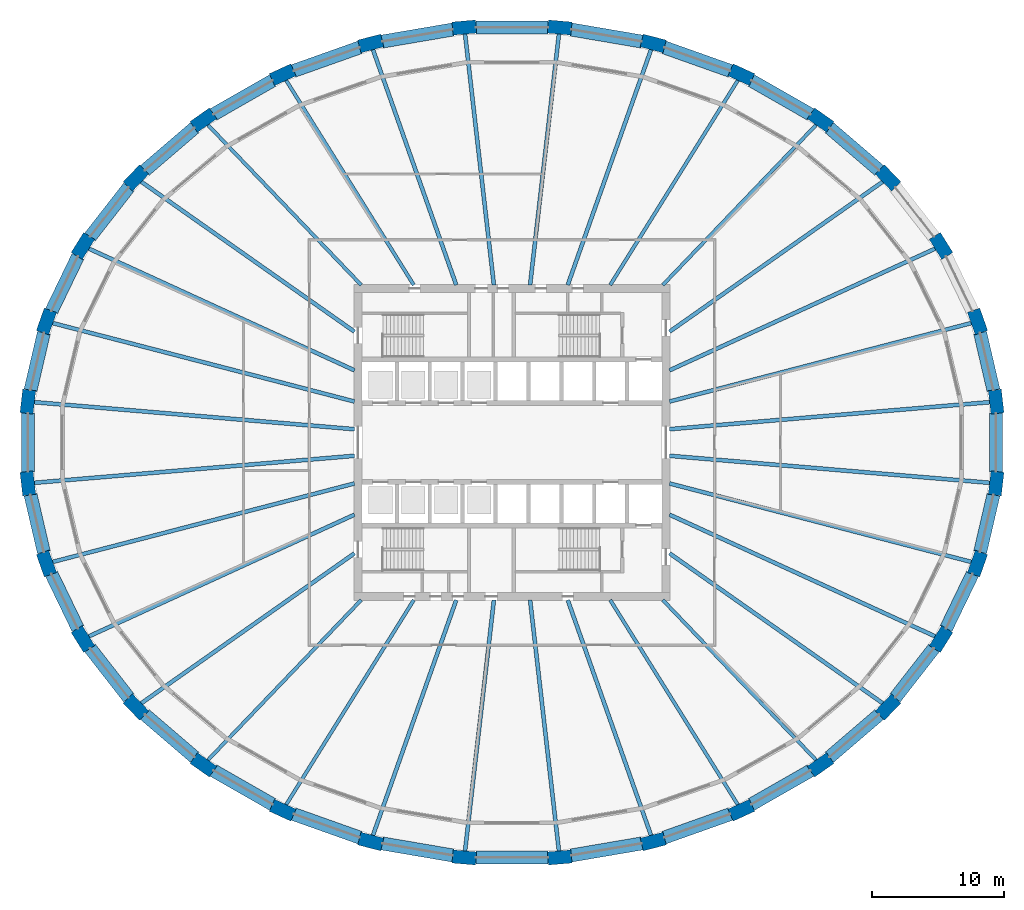
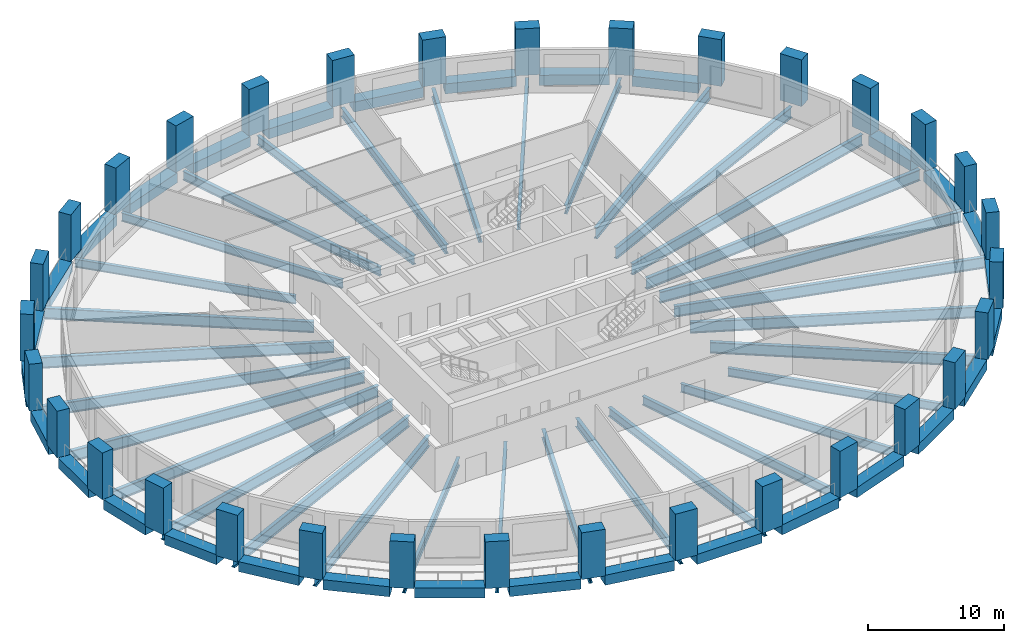
# One storey, part 1 of 10: 62 beams, 32 columns.
"""IFC4 building model written with IfcOpenShell, lengths in metres."""

from ifc_helpers import new_model, si_unit, direction, frame, origin, origin_2d, place, context, subcontext, project, spatial, rectangle, i_section, extrude, material, material_profile, profile_set, type_object, element, save


model = new_model("IFC4")

# Units and contexts
model_context = context("Model", 3, precision=1e-05, world=origin(), true_north=direction((0.0, 1.0)))
body_context = subcontext(model_context, "Body", "Model", "MODEL_VIEW")
ifc_project = project(units=[si_unit("LENGTHUNIT", "METRE"), si_unit("AREAUNIT", "SQUARE_METRE"), si_unit("VOLUMEUNIT", "CUBIC_METRE"), si_unit("PLANEANGLEUNIT", "RADIAN"), si_unit("MASSUNIT", "GRAM", prefix="KILO")], contexts=[model_context])

# Site, building, storey
site_placement = place(None, origin())
site = spatial("IfcSite", under=ifc_project, at=site_placement, CompositionType="ELEMENT")
building_placement = place(site_placement, origin())
building = spatial("IfcBuilding", under=site, at=building_placement, Name="Halqa Exchange Tower", CompositionType="ELEMENT")
storey_placement = place(building_placement, frame((0.0, 0.0, 65.5)))
storey = spatial("IfcBuildingStorey", under=building, at=storey_placement, Name="L14", CompositionType="ELEMENT", Elevation=65.5)

# Columns
ifc_material_1 = material(Name="Concrete C80/95", Category="concrete")
ifc_material_profile_1 = material_profile(ifc_material_1, rectangle(XDim=1.800048828125, YDim=1.0, at=origin_2d()), Name="1800 x 1000")
ifc_profile_set_1 = profile_set([ifc_material_profile_1], Name="Concrete C80/95")
column_type = type_object("IfcColumnType", Name="RC ring column 1800 x 1000 C80/95", PredefinedType="COLUMN", material=ifc_profile_set_1)
for number, where, z_axis, x_axis, name in (
    (1, (36.795654296875, 3.106201171875, 0.0), (0.0, 0.0, 1.0), (-0.114160389816, 0.993462332148, 0.0), "Ring column 1"),
    (2, (35.381591796875, 9.19970703125, 0.0), (0.0, 0.0, 1.0), (-0.33362916957, 0.942704395456, 0.0), "Ring column 2"),
    (3, (32.60791015625, 14.939453125, 0.0), (0.0, 0.0, 1.0), (-0.529139015285, 0.848535151012, 0.0), "Ring column 3"),
    (4, (28.5810546875, 20.10498046875, 0.0), (0.0, 0.0, 1.0), (-0.691577351953, 0.722302406382, 0.0), "Ring column 4"),
    (5, (23.455810546875, 24.498046875, 0.0), (0.0, 0.0, 1.0), (-0.817908788019, 0.57534790734, 0.0), "Ring column 5"),
    (6, (17.42919921875, 27.94970703125, 0.0), (0.0, 0.0, 1.0), (-0.909126368869, 0.416520402174, 0.0), "Ring column 6"),
    (7, (10.73291015625, 30.3271484375, 0.0), (0.0, 0.0, 1.0), (-0.967819942774, 0.251643713153, 0.0), "Ring column 7"),
    (8, (3.6240234375, 31.5390625, 0.0), (0.0, 0.0, 1.0), (-0.996455665803, 0.084119593962, 0.0), "Ring column 8"),
    (9, (-3.6240234375, 31.5390625, 0.0), (0.0, 0.0, 1.0), (-0.996455665803, -0.084119593962, 0.0), "Ring column 9"),
    (10, (-10.73291015625, 30.3271484375, 0.0), (0.0, 0.0, 1.0), (-0.967819942774, -0.251643713153, 0.0), "Ring column 10"),
    (11, (-17.42919921875, 27.94970703125, 0.0), (0.0, 0.0, 1.0), (-0.909126368869, -0.416520402174, 0.0), "Ring column 11"),
    (12, (-23.455810546875, 24.498046875, 0.0), (0.0, 0.0, 1.0), (-0.817908788019, -0.57534790734, 0.0), "Ring column 12"),
    (13, (-28.5810546875, 20.10498046875, 0.0), (0.0, 0.0, 1.0), (-0.691577351953, -0.722302406382, 0.0), "Ring column 13"),
    (14, (-32.60791015625, 14.939453125, 0.0), (0.0, 0.0, 1.0), (-0.529139015285, -0.848535151012, 0.0), "Ring column 14"),
    (15, (-35.381591796875, 9.19970703125, 0.0), (0.0, 0.0, 1.0), (-0.33362916957, -0.942704395456, 0.0), "Ring column 15"),
    (16, (-36.795654296875, 3.106201171875, 0.0), (0.0, 0.0, 1.0), (-0.114160389816, -0.993462332148, 0.0), "Ring column 16"),
    (17, (-36.795654296875, -3.106201171875, 0.0), (0.0, 0.0, 1.0), (0.114160389816, -0.993462332148, 0.0), "Ring column 17"),
    (18, (-35.381591796875, -9.19970703125, 0.0), (0.0, 0.0, 1.0), (0.33362916957, -0.942704395456, 0.0), "Ring column 18"),
    (19, (-32.60791015625, -14.939453125, 0.0), (0.0, 0.0, 1.0), (0.529139015285, -0.848535151012, 0.0), "Ring column 19"),
    (20, (-28.5810546875, -20.10498046875, 0.0), (0.0, 0.0, 1.0), (0.691577351953, -0.722302406382, 0.0), "Ring column 20"),
    (21, (-23.455810546875, -24.498046875, 0.0), (0.0, 0.0, 1.0), (0.817908788019, -0.57534790734, 0.0), "Ring column 21"),
    (22, (-17.42919921875, -27.94970703125, 0.0), (0.0, 0.0, 1.0), (0.909126368869, -0.416520402174, 0.0), "Ring column 22"),
    (23, (-10.73291015625, -30.3271484375, 0.0), (0.0, 0.0, 1.0), (0.967819942774, -0.251643713153, 0.0), "Ring column 23"),
    (24, (-3.6240234375, -31.5390625, 0.0), (0.0, 0.0, 1.0), (0.996455665803, -0.084119593962, 0.0), "Ring column 24"),
    (25, (3.6240234375, -31.5390625, 0.0), (0.0, 0.0, 1.0), (0.996455665803, 0.084119593962, 0.0), "Ring column 25"),
    (26, (10.73291015625, -30.3271484375, 0.0), (0.0, 0.0, 1.0), (0.967819942774, 0.251643713153, 0.0), "Ring column 26"),
    (27, (17.42919921875, -27.94970703125, 0.0), (0.0, 0.0, 1.0), (0.909126368869, 0.416520402174, 0.0), "Ring column 27"),
    (28, (23.455810546875, -24.498046875, 0.0), (0.0, 0.0, 1.0), (0.817908788019, 0.57534790734, 0.0), "Ring column 28"),
    (29, (28.5810546875, -20.10498046875, 0.0), (0.0, 0.0, 1.0), (0.691577351953, 0.722302406382, 0.0), "Ring column 29"),
    (30, (32.60791015625, -14.939453125, 0.0), (0.0, 0.0, 1.0), (0.529139015285, 0.848535151012, 0.0), "Ring column 30"),
    (31, (35.381591796875, -9.19970703125, 0.0), (0.0, 0.0, 1.0), (0.33362916957, 0.942704395456, 0.0), "Ring column 31"),
    (32, (36.795654296875, -3.106201171875, 0.0), (0.0, 0.0, 1.0), (0.114160389816, 0.993462332148, 0.0), "Ring column 32"),
):
    element("IfcColumn", number, at=place(storey_placement, frame(where, z_axis=z_axis, x_axis=x_axis)), inside=storey, type_object=column_type, Name=name, PredefinedType="COLUMN", context=body_context, shape_type="SweptSolid", body=[
        extrude(rectangle(XDim=1.800048828125, YDim=1.0, at=origin_2d()), origin(), (0.0, 0.0, 1.0), 4.199951171875),
    ])

# Beams
ifc_material_2 = material(Name="Steel S355", Category="steel")
ifc_material_profile_2 = material_profile(ifc_material_2, i_section(OverallWidth=0.300048828125, OverallDepth=0.989990234375, WebThickness=0.0166015625, FlangeThickness=0.031005859375, FilletRadius=0.030029296875, at=origin_2d()), Name="HEA 1000")
ifc_profile_set_2 = profile_set([ifc_material_profile_2], Name="Steel S355")
beam_type_1 = type_object("IfcBeamType", Name="Floor beam HEA 1000", PredefinedType="BEAM", material=ifc_profile_set_2)
beam_1_placement = place(storey_placement, frame((11.97119140625, 3.11279296875, -0.794921875), z_axis=(0.967821408246, 0.251638076889, 0.0), x_axis=(-0.251638076889, 0.967821408246, 0.0)))
element("IfcBeam", 33, at=beam_1_placement, inside=storey, type_object=beam_type_1, Name="Radial beam 2", PredefinedType="BEAM", context=body_context, shape_type="SweptSolid", body=[
    extrude(i_section(OverallWidth=0.300048828125, OverallDepth=0.989990234375, WebThickness=0.0166015625, FlangeThickness=0.031005859375, FilletRadius=0.030029296875, at=origin_2d()), origin(), (0.0, 0.0, 1.0), 23.814697265625),
])
beam_2_placement = place(storey_placement, frame((11.972412109375, 5.485107421875, -0.794921875), z_axis=(0.90912712456, 0.416518752747, 0.0), x_axis=(-0.416518752747, 0.90912712456, 0.0)))
element("IfcBeam", 34, at=beam_2_placement, inside=storey, type_object=beam_type_1, Name="Radial beam 3", PredefinedType="BEAM", context=body_context, shape_type="SweptSolid", body=[
    extrude(i_section(OverallWidth=0.300048828125, OverallDepth=0.989990234375, WebThickness=0.0166015625, FlangeThickness=0.031005859375, FilletRadius=0.030029296875, at=origin_2d()), origin(), (0.0, 0.0, 1.0), 22.322265625),
])
for number, where, z_axis, x_axis, name in (
    (35, (11.972412109375, 8.421875, -0.794921875), (0.817911887768, 0.575343500744, 0.0), (-0.575343500744, 0.817911887768, 0.0), "Radial beam 4"),
    (36, (-11.972412109375, 8.421875, -0.794921875), (-0.817911887768, 0.575343500744, 0.0), (-0.575343500744, -0.817911887768, 0.0), "Radial beam 13"),
):
    element("IfcBeam", number, at=place(storey_placement, frame(where, z_axis=z_axis, x_axis=x_axis)), inside=storey, type_object=beam_type_1, Name=name, PredefinedType="BEAM", context=body_context, shape_type="SweptSolid", body=[
        extrude(i_section(OverallWidth=0.300048828125, OverallDepth=0.989990234375, WebThickness=0.0166015625, FlangeThickness=0.031005859375, FilletRadius=0.030029296875, at=origin_2d()), origin(), (0.0, 0.0, 1.0), 19.930419921875),
    ])
beam_3_placement = place(storey_placement, frame((-11.972412109375, 5.485107421875, -0.794921875), z_axis=(-0.90912712456, 0.416518752747, 0.0), x_axis=(-0.416518752747, -0.90912712456, 0.0)))
element("IfcBeam", 37, at=beam_3_placement, inside=storey, type_object=beam_type_1, Name="Radial beam 14", PredefinedType="BEAM", context=body_context, shape_type="SweptSolid", body=[
    extrude(i_section(OverallWidth=0.300048828125, OverallDepth=0.989990234375, WebThickness=0.0166015625, FlangeThickness=0.031005859375, FilletRadius=0.030029296875, at=origin_2d()), origin(), (0.0, 0.0, 1.0), 22.322265625),
])
for number, where, z_axis, x_axis, name in (
    (38, (-11.97119140625, 3.11279296875, -0.794921875), (-0.967821408246, 0.251638076889, 0.0), (-0.251638076889, -0.967821408246, 0.0), "Radial beam 15"),
    (39, (-11.97119140625, -3.11279296875, -0.794921875), (-0.967821408246, -0.251638076889, 0.0), (0.251638076889, -0.967821408246, 0.0), "Radial beam 18"),
):
    element("IfcBeam", number, at=place(storey_placement, frame(where, z_axis=z_axis, x_axis=x_axis)), inside=storey, type_object=beam_type_1, Name=name, PredefinedType="BEAM", context=body_context, shape_type="SweptSolid", body=[
        extrude(i_section(OverallWidth=0.300048828125, OverallDepth=0.989990234375, WebThickness=0.0166015625, FlangeThickness=0.031005859375, FilletRadius=0.030029296875, at=origin_2d()), origin(), (0.0, 0.0, 1.0), 23.814697265625),
    ])
beam_4_placement = place(storey_placement, frame((-11.972412109375, -5.485107421875, -0.794921875), z_axis=(-0.90912712456, -0.416518752747, 0.0), x_axis=(0.416518752747, -0.90912712456, 0.0)))
element("IfcBeam", 40, at=beam_4_placement, inside=storey, type_object=beam_type_1, Name="Radial beam 19", PredefinedType="BEAM", context=body_context, shape_type="SweptSolid", body=[
    extrude(i_section(OverallWidth=0.300048828125, OverallDepth=0.989990234375, WebThickness=0.0166015625, FlangeThickness=0.031005859375, FilletRadius=0.030029296875, at=origin_2d()), origin(), (0.0, 0.0, 1.0), 22.322265625),
])
for number, where, z_axis, x_axis, name in (
    (41, (-11.972412109375, -8.421875, -0.794921875), (-0.817911887768, -0.575343500744, 0.0), (0.575343500744, -0.817911887768, 0.0), "Radial beam 20"),
    (42, (11.972412109375, -8.421875, -0.794921875), (0.817911887768, -0.575343500744, 0.0), (0.575343500744, 0.817911887768, 0.0), "Radial beam 29"),
):
    element("IfcBeam", number, at=place(storey_placement, frame(where, z_axis=z_axis, x_axis=x_axis)), inside=storey, type_object=beam_type_1, Name=name, PredefinedType="BEAM", context=body_context, shape_type="SweptSolid", body=[
        extrude(i_section(OverallWidth=0.300048828125, OverallDepth=0.989990234375, WebThickness=0.0166015625, FlangeThickness=0.031005859375, FilletRadius=0.030029296875, at=origin_2d()), origin(), (0.0, 0.0, 1.0), 19.930419921875),
    ])
beam_5_placement = place(storey_placement, frame((11.972412109375, -5.485107421875, -0.794921875), z_axis=(0.90912712456, -0.416518752747, 0.0), x_axis=(0.416518752747, 0.90912712456, 0.0)))
element("IfcBeam", 43, at=beam_5_placement, inside=storey, type_object=beam_type_1, Name="Radial beam 30", PredefinedType="BEAM", context=body_context, shape_type="SweptSolid", body=[
    extrude(i_section(OverallWidth=0.300048828125, OverallDepth=0.989990234375, WebThickness=0.0166015625, FlangeThickness=0.031005859375, FilletRadius=0.030029296875, at=origin_2d()), origin(), (0.0, 0.0, 1.0), 22.322265625),
])
beam_6_placement = place(storey_placement, frame((11.97119140625, -3.11279296875, -0.794921875), z_axis=(0.967821408246, -0.251638076889, 0.0), x_axis=(0.251638076889, 0.967821408246, 0.0)))
element("IfcBeam", 44, at=beam_6_placement, inside=storey, type_object=beam_type_1, Name="Radial beam 31", PredefinedType="BEAM", context=body_context, shape_type="SweptSolid", body=[
    extrude(i_section(OverallWidth=0.300048828125, OverallDepth=0.989990234375, WebThickness=0.0166015625, FlangeThickness=0.031005859375, FilletRadius=0.030029296875, at=origin_2d()), origin(), (0.0, 0.0, 1.0), 23.814697265625),
])
ifc_material_profile_3 = material_profile(ifc_material_2, i_section(OverallWidth=0.300048828125, OverallDepth=0.7900390625, WebThickness=0.014892578125, FlangeThickness=0.028076171875, FilletRadius=0.030029296875, at=origin_2d()), Name="HEA 800")
ifc_profile_set_3 = profile_set([ifc_material_profile_3], Name="Steel S355")
beam_type_2 = type_object("IfcBeamType", Name="Floor beam HEA 800", PredefinedType="BEAM", material=ifc_profile_set_3)
for number, where, z_axis, x_axis, name in (
    (45, (4.23681640625, 11.971923828125, -0.695068359375), (0.333632487117, 0.942703221348, 0.0), (-0.942703221348, 0.333632487117, 0.0), "Radial beam 7"),
    (46, (-4.23681640625, 11.971923828125, -0.695068359375), (-0.333632487117, 0.942703221348, 0.0), (-0.942703221348, -0.333632487117, 0.0), "Radial beam 10"),
    (47, (-4.23681640625, -11.971923828125, -0.695068359375), (-0.333632487117, -0.942703221348, 0.0), (0.942703221348, -0.333632487117, 0.0), "Radial beam 23"),
    (48, (4.23681640625, -11.971923828125, -0.695068359375), (0.333632487117, -0.942703221348, 0.0), (0.942703221348, 0.333632487117, 0.0), "Radial beam 26"),
):
    element("IfcBeam", number, at=place(storey_placement, frame(where, z_axis=z_axis, x_axis=x_axis)), inside=storey, type_object=beam_type_2, Name=name, PredefinedType="BEAM", context=body_context, shape_type="SweptSolid", body=[
        extrude(i_section(OverallWidth=0.300048828125, OverallDepth=0.7900390625, WebThickness=0.014892578125, FlangeThickness=0.028076171875, FilletRadius=0.030029296875, at=origin_2d()), origin(), (0.0, 0.0, 1.0), 19.096923828125),
    ])
ifc_material_profile_4 = material_profile(ifc_material_2, i_section(OverallWidth=0.300048828125, OverallDepth=0.800048828125, WebThickness=0.017578125, FlangeThickness=0.032958984375, FilletRadius=0.030029296875, at=origin_2d()), Name="HEB 800")
ifc_profile_set_4 = profile_set([ifc_material_profile_4], Name="Steel S355")
beam_type_3 = type_object("IfcBeamType", Name="Floor beam HEB 800", PredefinedType="BEAM", material=ifc_profile_set_4)
for number, where, z_axis, x_axis, name in (
    (49, (1.375732421875, 11.972900390625, -0.699951171875), (0.114155555708, 0.993462887631, 0.0), (-0.993462887631, 0.114155555708, 0.0), "Radial beam 8"),
    (50, (-1.375732421875, 11.972900390625, -0.699951171875), (-0.114155555708, 0.993462887631, 0.0), (-0.993462887631, -0.114155555708, 0.0), "Radial beam 9"),
    (51, (-1.375732421875, -11.972900390625, -0.699951171875), (-0.114155555708, -0.993462887631, 0.0), (0.993462887631, -0.114155555708, 0.0), "Radial beam 24"),
    (52, (1.375732421875, -11.972900390625, -0.699951171875), (0.114155555708, -0.993462887631, 0.0), (0.993462887631, 0.114155555708, 0.0), "Radial beam 25"),
):
    element("IfcBeam", number, at=place(storey_placement, frame(where, z_axis=z_axis, x_axis=x_axis)), inside=storey, type_object=beam_type_3, Name=name, PredefinedType="BEAM", context=body_context, shape_type="SweptSolid", body=[
        extrude(i_section(OverallWidth=0.300048828125, OverallDepth=0.800048828125, WebThickness=0.017578125, FlangeThickness=0.032958984375, FilletRadius=0.030029296875, at=origin_2d()), origin(), (0.0, 0.0, 1.0), 19.32275390625),
    ])
ifc_material_profile_5 = material_profile(ifc_material_2, i_section(OverallWidth=0.302001953125, OverallDepth=1.008056640625, WebThickness=0.02099609375, FlangeThickness=0.0400390625, FilletRadius=0.030029296875, at=origin_2d()), Name="HEM 1000")
ifc_profile_set_5 = profile_set([ifc_material_profile_5], Name="Steel S355")
beam_type_4 = type_object("IfcBeamType", Name="Floor beam HEM 1000", PredefinedType="BEAM", material=ifc_profile_set_5)
for number, where, z_axis, x_axis, name in (
    (53, (11.972412109375, 1.0107421875, -0.803955078125), (0.99645584794, 0.084117436394, 0.0), (-0.084117436394, 0.99645584794, 0.0), "Radial beam 1"),
    (54, (-11.972412109375, 1.0107421875, -0.803955078125), (-0.99645584794, 0.084117436394, 0.0), (-0.084117436394, -0.99645584794, 0.0), "Radial beam 16"),
    (55, (-11.972412109375, -1.0107421875, -0.803955078125), (-0.99645584794, -0.084117436394, 0.0), (0.084117436394, -0.99645584794, 0.0), "Radial beam 17"),
    (56, (11.972412109375, -1.0107421875, -0.803955078125), (0.99645584794, -0.084117436394, 0.0), (0.084117436394, 0.99645584794, 0.0), "Radial beam 32"),
):
    element("IfcBeam", number, at=place(storey_placement, frame(where, z_axis=z_axis, x_axis=x_axis)), inside=storey, type_object=beam_type_4, Name=name, PredefinedType="BEAM", context=body_context, shape_type="SweptSolid", body=[
        extrude(i_section(OverallWidth=0.302001953125, OverallDepth=1.008056640625, WebThickness=0.02099609375, FlangeThickness=0.0400390625, FilletRadius=0.030029296875, at=origin_2d()), origin(), (0.0, 0.0, 1.0), 24.53955078125),
    ])
ifc_material_profile_6 = material_profile(ifc_material_2, i_section(OverallWidth=0.264892578125, OverallDepth=0.7529296875, WebThickness=0.01318359375, FlangeThickness=0.01708984375, FilletRadius=0.01708984375, at=origin_2d()), Name="IPE 750x147")
ifc_profile_set_6 = profile_set([ifc_material_profile_6], Name="Steel S355")
beam_type_5 = type_object("IfcBeamType", Name="Floor beam IPE 750x147", PredefinedType="BEAM", material=ifc_profile_set_6)
for number, where, z_axis, x_axis, name in (
    (57, (11.462890625, 11.97216796875, -0.676513671875), (0.691578048571, 0.722301739396, 0.0), (-0.722301739396, 0.691578048571, 0.0), "Radial beam 5"),
    (58, (-11.462890625, 11.97216796875, -0.676513671875), (-0.691578048571, 0.722301739396, 0.0), (-0.722301739396, -0.691578048571, 0.0), "Radial beam 12"),
    (59, (-11.462890625, -11.97216796875, -0.676513671875), (-0.691578048571, -0.722301739396, 0.0), (0.722301739396, -0.691578048571, 0.0), "Radial beam 21"),
    (60, (11.462890625, -11.97216796875, -0.676513671875), (0.691578048571, -0.722301739396, 0.0), (0.722301739396, 0.691578048571, 0.0), "Radial beam 28"),
):
    element("IfcBeam", number, at=place(storey_placement, frame(where, z_axis=z_axis, x_axis=x_axis)), inside=storey, type_object=beam_type_5, Name=name, PredefinedType="BEAM", context=body_context, shape_type="SweptSolid", body=[
        extrude(i_section(OverallWidth=0.264892578125, OverallDepth=0.7529296875, WebThickness=0.01318359375, FlangeThickness=0.01708984375, FilletRadius=0.01708984375, at=origin_2d()), origin(), (0.0, 0.0, 1.0), 16.96533203125),
    ])
ifc_material_profile_7 = material_profile(ifc_material_2, i_section(OverallWidth=0.26806640625, OverallDepth=0.77001953125, WebThickness=0.015625, FlangeThickness=0.025390625, FilletRadius=0.01708984375, at=origin_2d()), Name="IPE 750x196")
ifc_profile_set_7 = profile_set([ifc_material_profile_7], Name="Steel S355")
beam_type_6 = type_object("IfcBeamType", Name="Floor beam IPE 750x196", PredefinedType="BEAM", material=ifc_profile_set_7)
for number, where, z_axis, x_axis, name in (
    (61, (7.46533203125, 11.971435546875, -0.68505859375), (0.52913771305, 0.848535963073, 0.0), (-0.848535963073, 0.52913771305, 0.0), "Radial beam 6"),
    (62, (-7.46533203125, 11.971435546875, -0.68505859375), (-0.52913771305, 0.848535963073, 0.0), (-0.848535963073, -0.52913771305, 0.0), "Radial beam 11"),
    (63, (-7.46533203125, -11.971435546875, -0.68505859375), (-0.52913771305, -0.848535963073, 0.0), (0.848535963073, -0.52913771305, 0.0), "Radial beam 22"),
    (64, (7.46533203125, -11.971435546875, -0.68505859375), (0.52913771305, -0.848535963073, 0.0), (0.848535963073, 0.52913771305, 0.0), "Radial beam 27"),
):
    element("IfcBeam", number, at=place(storey_placement, frame(where, z_axis=z_axis, x_axis=x_axis)), inside=storey, type_object=beam_type_6, Name=name, PredefinedType="BEAM", context=body_context, shape_type="SweptSolid", body=[
        extrude(i_section(OverallWidth=0.26806640625, OverallDepth=0.77001953125, WebThickness=0.015625, FlangeThickness=0.025390625, FilletRadius=0.01708984375, at=origin_2d()), origin(), (0.0, 0.0, 1.0), 18.454345703125),
    ])
ifc_material_3 = material(Name="Concrete C60/75", Category="concrete")
ifc_material_profile_8 = material_profile(ifc_material_3, rectangle(XDim=1.0, YDim=0.89990234375, at=origin_2d()), Name="1000 x 900")
ifc_profile_set_8 = profile_set([ifc_material_profile_8], Name="Concrete C60/75")
beam_type_7 = type_object("IfcBeamType", Name="RC spandrel beam 1000 x 900 C60/75", PredefinedType="SPANDREL", material=ifc_profile_set_8)
beam_7_placement = place(storey_placement, frame((36.59716796875, 3.9619140625, -0.449951171875), z_axis=(-0.226068102396, 0.974111499305, 0.0), x_axis=(-0.974111499305, -0.226068102396, 0.0)))
element("IfcBeam", 65, at=beam_7_placement, inside=storey, type_object=beam_type_7, Name="Spandrel 1", PredefinedType="SPANDREL", context=body_context, shape_type="SweptSolid", body=[
    extrude(rectangle(XDim=1.0, YDim=0.89990234375, at=origin_2d()), origin(), (0.0, 0.0, 1.0), 4.4990234375),
])
beam_8_placement = place(storey_placement, frame((27.915771484375, 20.67529296875, -0.449951171875), z_axis=(-0.759260049854, 0.650787351364, 0.0), x_axis=(-0.650787351364, -0.759260049854, 0.0)))
element("IfcBeam", 66, at=beam_8_placement, inside=storey, type_object=beam_type_7, Name="Spandrel 4", PredefinedType="SPANDREL", context=body_context, shape_type="SweptSolid", body=[
    extrude(rectangle(XDim=1.0, YDim=0.89990234375, at=origin_2d()), origin(), (0.0, 0.0, 1.0), 4.998779296875),
])
beam_9_placement = place(storey_placement, frame((22.69580078125, 24.933349609375, -0.449951171875), z_axis=(-0.867759663609, 0.496984070383, 0.0), x_axis=(-0.496984070383, -0.867759663609, 0.0)))
element("IfcBeam", 67, at=beam_9_placement, inside=storey, type_object=beam_type_7, Name="Spandrel 5", PredefinedType="SPANDREL", context=body_context, shape_type="SweptSolid", body=[
    extrude(rectangle(XDim=1.0, YDim=0.89990234375, at=origin_2d()), origin(), (0.0, 0.0, 1.0), 5.19384765625),
])
beam_10_placement = place(storey_placement, frame((16.603515625, 28.242919921875, -0.449951171875), z_axis=(-0.942371638201, 0.334567923618, 0.0), x_axis=(-0.334567923618, -0.942371638201, 0.0)))
element("IfcBeam", 68, at=beam_10_placement, inside=storey, type_object=beam_type_7, Name="Spandrel 6", PredefinedType="SPANDREL", context=body_context, shape_type="SweptSolid", body=[
    extrude(rectangle(XDim=1.0, YDim=0.89990234375, at=origin_2d()), origin(), (0.0, 0.0, 1.0), 5.35400390625),
])
beam_11_placement = place(storey_placement, frame((9.870361328125, 30.47412109375, -0.449951171875), z_axis=(-0.985774563326, 0.168072931488, 0.0), x_axis=(-0.168072931488, -0.985774563326, 0.0)))
element("IfcBeam", 69, at=beam_11_placement, inside=storey, type_object=beam_type_7, Name="Spandrel 7", PredefinedType="SPANDREL", context=body_context, shape_type="SweptSolid", body=[
    extrude(rectangle(XDim=1.0, YDim=0.89990234375, at=origin_2d()), origin(), (0.0, 0.0, 1.0), 5.461669921875),
])
beam_12_placement = place(storey_placement, frame((2.74951171875, 31.5390625, -0.449951171875), z_axis=(-1.0, 0.0, 0.0), x_axis=(0.0, -1.0, 0.0)))
element("IfcBeam", 70, at=beam_12_placement, inside=storey, type_object=beam_type_7, Name="Spandrel 8", PredefinedType="SPANDREL", context=body_context, shape_type="SweptSolid", body=[
    extrude(rectangle(XDim=1.0, YDim=0.89990234375, at=origin_2d()), origin(), (0.0, 0.0, 1.0), 5.4990234375),
])
beam_13_placement = place(storey_placement, frame((-4.486328125, 31.39208984375, -0.449951171875), z_axis=(-0.985774563326, -0.168072931488, 0.0), x_axis=(0.168072931488, -0.985774563326, 0.0)))
element("IfcBeam", 71, at=beam_13_placement, inside=storey, type_object=beam_type_7, Name="Spandrel 9", PredefinedType="SPANDREL", context=body_context, shape_type="SweptSolid", body=[
    extrude(rectangle(XDim=1.0, YDim=0.89990234375, at=origin_2d()), origin(), (0.0, 0.0, 1.0), 5.461669921875),
])
beam_14_placement = place(storey_placement, frame((-11.55810546875, 30.0341796875, -0.449951171875), z_axis=(-0.942371638201, -0.334567923618, 0.0), x_axis=(0.334567923618, -0.942371638201, 0.0)))
element("IfcBeam", 72, at=beam_14_placement, inside=storey, type_object=beam_type_7, Name="Spandrel 10", PredefinedType="SPANDREL", context=body_context, shape_type="SweptSolid", body=[
    extrude(rectangle(XDim=1.0, YDim=0.89990234375, at=origin_2d()), origin(), (0.0, 0.0, 1.0), 5.35400390625),
])
beam_15_placement = place(storey_placement, frame((-18.188720703125, 27.5146484375, -0.449951171875), z_axis=(-0.867759663609, -0.496984070383, 0.0), x_axis=(0.496984070383, -0.867759663609, 0.0)))
element("IfcBeam", 73, at=beam_15_placement, inside=storey, type_object=beam_type_7, Name="Spandrel 11", PredefinedType="SPANDREL", context=body_context, shape_type="SweptSolid", body=[
    extrude(rectangle(XDim=1.0, YDim=0.89990234375, at=origin_2d()), origin(), (0.0, 0.0, 1.0), 5.19384765625),
])
beam_16_placement = place(storey_placement, frame((-24.120361328125, 23.928466796875, -0.449951171875), z_axis=(-0.759260049854, -0.650787351364, 0.0), x_axis=(0.650787351364, -0.759260049854, 0.0)))
element("IfcBeam", 74, at=beam_16_placement, inside=storey, type_object=beam_type_7, Name="Spandrel 12", PredefinedType="SPANDREL", context=body_context, shape_type="SweptSolid", body=[
    extrude(rectangle(XDim=1.0, YDim=0.89990234375, at=origin_2d()), origin(), (0.0, 0.0, 1.0), 4.998779296875),
])
beam_17_placement = place(storey_placement, frame((-29.119384765625, 19.414306640625, -0.449951171875), z_axis=(-0.614821046905, -0.788666647122, 0.0), x_axis=(0.788666647122, -0.614821046905, 0.0)))
element("IfcBeam", 75, at=beam_17_placement, inside=storey, type_object=beam_type_7, Name="Spandrel 13", PredefinedType="SPANDREL", context=body_context, shape_type="SweptSolid", body=[
    extrude(rectangle(XDim=1.0, YDim=0.89990234375, at=origin_2d()), origin(), (0.0, 0.0, 1.0), 4.79736328125),
])
beam_18_placement = place(storey_placement, frame((-32.989990234375, 14.14892578125, -0.449951171875), z_axis=(-0.435081553548, -0.900391049357, 0.0), x_axis=(0.900391049357, -0.435081553548, 0.0)))
element("IfcBeam", 76, at=beam_18_placement, inside=storey, type_object=beam_type_7, Name="Spandrel 14", PredefinedType="SPANDREL", context=body_context, shape_type="SweptSolid", body=[
    extrude(rectangle(XDim=1.0, YDim=0.89990234375, at=origin_2d()), origin(), (0.0, 0.0, 1.0), 4.619873046875),
])
beam_19_placement = place(storey_placement, frame((-35.580078125, 8.344482421875, -0.449951171875), z_axis=(-0.226068102396, -0.974111499305, 0.0), x_axis=(0.974111499305, -0.226068102396, 0.0)))
element("IfcBeam", 77, at=beam_19_placement, inside=storey, type_object=beam_type_7, Name="Spandrel 15", PredefinedType="SPANDREL", context=body_context, shape_type="SweptSolid", body=[
    extrude(rectangle(XDim=1.0, YDim=0.89990234375, at=origin_2d()), origin(), (0.0, 0.0, 1.0), 4.4990234375),
])
beam_20_placement = place(storey_placement, frame((-36.795654296875, 2.2275390625, -0.449951171875), z_axis=(0.0, -1.0, 0.0), x_axis=(1.0, 0.0, 0.0)))
element("IfcBeam", 78, at=beam_20_placement, inside=storey, type_object=beam_type_7, Name="Spandrel 16", PredefinedType="SPANDREL", context=body_context, shape_type="SweptSolid", body=[
    extrude(rectangle(XDim=1.0, YDim=0.89990234375, at=origin_2d()), origin(), (0.0, 0.0, 1.0), 4.455078125),
])
beam_21_placement = place(storey_placement, frame((-36.59716796875, -3.9619140625, -0.449951171875), z_axis=(0.226068102396, -0.974111499305, 0.0), x_axis=(0.974111499305, 0.226068102396, 0.0)))
element("IfcBeam", 79, at=beam_21_placement, inside=storey, type_object=beam_type_7, Name="Spandrel 17", PredefinedType="SPANDREL", context=body_context, shape_type="SweptSolid", body=[
    extrude(rectangle(XDim=1.0, YDim=0.89990234375, at=origin_2d()), origin(), (0.0, 0.0, 1.0), 4.4990234375),
])
beam_22_placement = place(storey_placement, frame((-35.0, -9.9892578125, -0.449951171875), z_axis=(0.435081553548, -0.900391049357, 0.0), x_axis=(0.900391049357, 0.435081553548, 0.0)))
element("IfcBeam", 80, at=beam_22_placement, inside=storey, type_object=beam_type_7, Name="Spandrel 18", PredefinedType="SPANDREL", context=body_context, shape_type="SweptSolid", body=[
    extrude(rectangle(XDim=1.0, YDim=0.89990234375, at=origin_2d()), origin(), (0.0, 0.0, 1.0), 4.619873046875),
])
beam_23_placement = place(storey_placement, frame((-32.06884765625, -15.630859375, -0.449951171875), z_axis=(0.614821046905, -0.788666647122, 0.0), x_axis=(0.788666647122, 0.614821046905, 0.0)))
element("IfcBeam", 81, at=beam_23_placement, inside=storey, type_object=beam_type_7, Name="Spandrel 19", PredefinedType="SPANDREL", context=body_context, shape_type="SweptSolid", body=[
    extrude(rectangle(XDim=1.0, YDim=0.89990234375, at=origin_2d()), origin(), (0.0, 0.0, 1.0), 4.79736328125),
])
beam_24_placement = place(storey_placement, frame((-27.915771484375, -20.67529296875, -0.449951171875), z_axis=(0.759260049854, -0.650787351364, 0.0), x_axis=(0.650787351364, 0.759260049854, 0.0)))
element("IfcBeam", 82, at=beam_24_placement, inside=storey, type_object=beam_type_7, Name="Spandrel 20", PredefinedType="SPANDREL", context=body_context, shape_type="SweptSolid", body=[
    extrude(rectangle(XDim=1.0, YDim=0.89990234375, at=origin_2d()), origin(), (0.0, 0.0, 1.0), 4.998779296875),
])
beam_25_placement = place(storey_placement, frame((-22.69580078125, -24.933349609375, -0.449951171875), z_axis=(0.867759663609, -0.496984070383, 0.0), x_axis=(0.496984070383, 0.867759663609, 0.0)))
element("IfcBeam", 83, at=beam_25_placement, inside=storey, type_object=beam_type_7, Name="Spandrel 21", PredefinedType="SPANDREL", context=body_context, shape_type="SweptSolid", body=[
    extrude(rectangle(XDim=1.0, YDim=0.89990234375, at=origin_2d()), origin(), (0.0, 0.0, 1.0), 5.19384765625),
])
beam_26_placement = place(storey_placement, frame((-16.603515625, -28.242919921875, -0.449951171875), z_axis=(0.942371638201, -0.334567923618, 0.0), x_axis=(0.334567923618, 0.942371638201, 0.0)))
element("IfcBeam", 84, at=beam_26_placement, inside=storey, type_object=beam_type_7, Name="Spandrel 22", PredefinedType="SPANDREL", context=body_context, shape_type="SweptSolid", body=[
    extrude(rectangle(XDim=1.0, YDim=0.89990234375, at=origin_2d()), origin(), (0.0, 0.0, 1.0), 5.35400390625),
])
beam_27_placement = place(storey_placement, frame((-9.870361328125, -30.47412109375, -0.449951171875), z_axis=(0.985774563326, -0.168072931488, 0.0), x_axis=(0.168072931488, 0.985774563326, 0.0)))
element("IfcBeam", 85, at=beam_27_placement, inside=storey, type_object=beam_type_7, Name="Spandrel 23", PredefinedType="SPANDREL", context=body_context, shape_type="SweptSolid", body=[
    extrude(rectangle(XDim=1.0, YDim=0.89990234375, at=origin_2d()), origin(), (0.0, 0.0, 1.0), 5.461669921875),
])
beam_28_placement = place(storey_placement, frame((-2.74951171875, -31.5390625, -0.449951171875), z_axis=(1.0, 0.0, 0.0), x_axis=(0.0, 1.0, 0.0)))
element("IfcBeam", 86, at=beam_28_placement, inside=storey, type_object=beam_type_7, Name="Spandrel 24", PredefinedType="SPANDREL", context=body_context, shape_type="SweptSolid", body=[
    extrude(rectangle(XDim=1.0, YDim=0.89990234375, at=origin_2d()), origin(), (0.0, 0.0, 1.0), 5.4990234375),
])
beam_29_placement = place(storey_placement, frame((4.486328125, -31.39208984375, -0.449951171875), z_axis=(0.985774563326, 0.168072931488, 0.0), x_axis=(-0.168072931488, 0.985774563326, 0.0)))
element("IfcBeam", 87, at=beam_29_placement, inside=storey, type_object=beam_type_7, Name="Spandrel 25", PredefinedType="SPANDREL", context=body_context, shape_type="SweptSolid", body=[
    extrude(rectangle(XDim=1.0, YDim=0.89990234375, at=origin_2d()), origin(), (0.0, 0.0, 1.0), 5.461669921875),
])
beam_30_placement = place(storey_placement, frame((11.55810546875, -30.0341796875, -0.449951171875), z_axis=(0.942371638201, 0.334567923618, 0.0), x_axis=(-0.334567923618, 0.942371638201, 0.0)))
element("IfcBeam", 88, at=beam_30_placement, inside=storey, type_object=beam_type_7, Name="Spandrel 26", PredefinedType="SPANDREL", context=body_context, shape_type="SweptSolid", body=[
    extrude(rectangle(XDim=1.0, YDim=0.89990234375, at=origin_2d()), origin(), (0.0, 0.0, 1.0), 5.35400390625),
])
beam_31_placement = place(storey_placement, frame((18.188720703125, -27.5146484375, -0.449951171875), z_axis=(0.867759663609, 0.496984070383, 0.0), x_axis=(-0.496984070383, 0.867759663609, 0.0)))
element("IfcBeam", 89, at=beam_31_placement, inside=storey, type_object=beam_type_7, Name="Spandrel 27", PredefinedType="SPANDREL", context=body_context, shape_type="SweptSolid", body=[
    extrude(rectangle(XDim=1.0, YDim=0.89990234375, at=origin_2d()), origin(), (0.0, 0.0, 1.0), 5.19384765625),
])
beam_32_placement = place(storey_placement, frame((24.120361328125, -23.928466796875, -0.449951171875), z_axis=(0.759260049854, 0.650787351364, 0.0), x_axis=(-0.650787351364, 0.759260049854, 0.0)))
element("IfcBeam", 90, at=beam_32_placement, inside=storey, type_object=beam_type_7, Name="Spandrel 28", PredefinedType="SPANDREL", context=body_context, shape_type="SweptSolid", body=[
    extrude(rectangle(XDim=1.0, YDim=0.89990234375, at=origin_2d()), origin(), (0.0, 0.0, 1.0), 4.998779296875),
])
beam_33_placement = place(storey_placement, frame((29.119384765625, -19.414306640625, -0.449951171875), z_axis=(0.614821046905, 0.788666647122, 0.0), x_axis=(-0.788666647122, 0.614821046905, 0.0)))
element("IfcBeam", 91, at=beam_33_placement, inside=storey, type_object=beam_type_7, Name="Spandrel 29", PredefinedType="SPANDREL", context=body_context, shape_type="SweptSolid", body=[
    extrude(rectangle(XDim=1.0, YDim=0.89990234375, at=origin_2d()), origin(), (0.0, 0.0, 1.0), 4.79736328125),
])
beam_34_placement = place(storey_placement, frame((32.989990234375, -14.14892578125, -0.449951171875), z_axis=(0.435081553548, 0.900391049357, 0.0), x_axis=(-0.900391049357, 0.435081553548, 0.0)))
element("IfcBeam", 92, at=beam_34_placement, inside=storey, type_object=beam_type_7, Name="Spandrel 30", PredefinedType="SPANDREL", context=body_context, shape_type="SweptSolid", body=[
    extrude(rectangle(XDim=1.0, YDim=0.89990234375, at=origin_2d()), origin(), (0.0, 0.0, 1.0), 4.619873046875),
])
beam_35_placement = place(storey_placement, frame((35.580078125, -8.344482421875, -0.449951171875), z_axis=(0.226068102396, 0.974111499305, 0.0), x_axis=(-0.974111499305, 0.226068102396, 0.0)))
element("IfcBeam", 93, at=beam_35_placement, inside=storey, type_object=beam_type_7, Name="Spandrel 31", PredefinedType="SPANDREL", context=body_context, shape_type="SweptSolid", body=[
    extrude(rectangle(XDim=1.0, YDim=0.89990234375, at=origin_2d()), origin(), (0.0, 0.0, 1.0), 4.4990234375),
])
beam_36_placement = place(storey_placement, frame((36.795654296875, -2.2275390625, -0.449951171875), z_axis=(0.0, 1.0, 0.0), x_axis=(-1.0, 0.0, 0.0)))
element("IfcBeam", 94, at=beam_36_placement, inside=storey, type_object=beam_type_7, Name="Spandrel 32", PredefinedType="SPANDREL", context=body_context, shape_type="SweptSolid", body=[
    extrude(rectangle(XDim=1.0, YDim=0.89990234375, at=origin_2d()), origin(), (0.0, 0.0, 1.0), 4.455078125),
])

save(model, "model.ifc")
